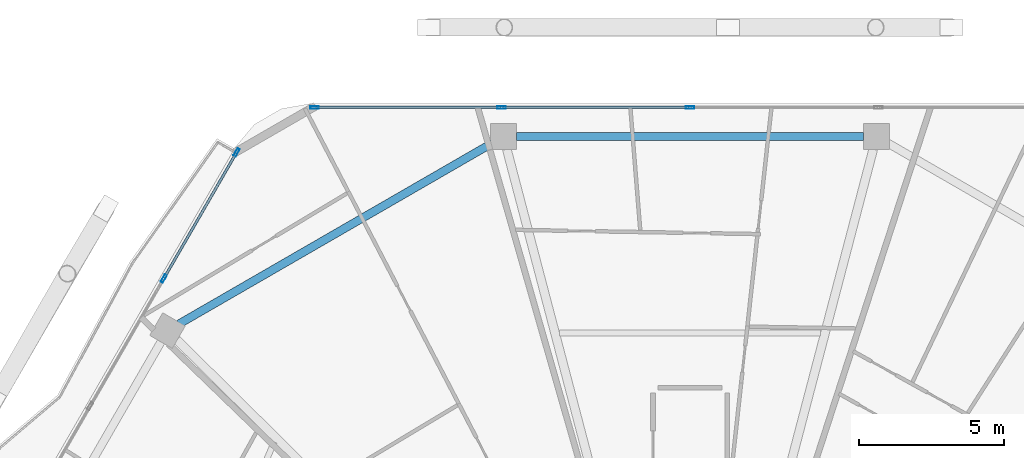
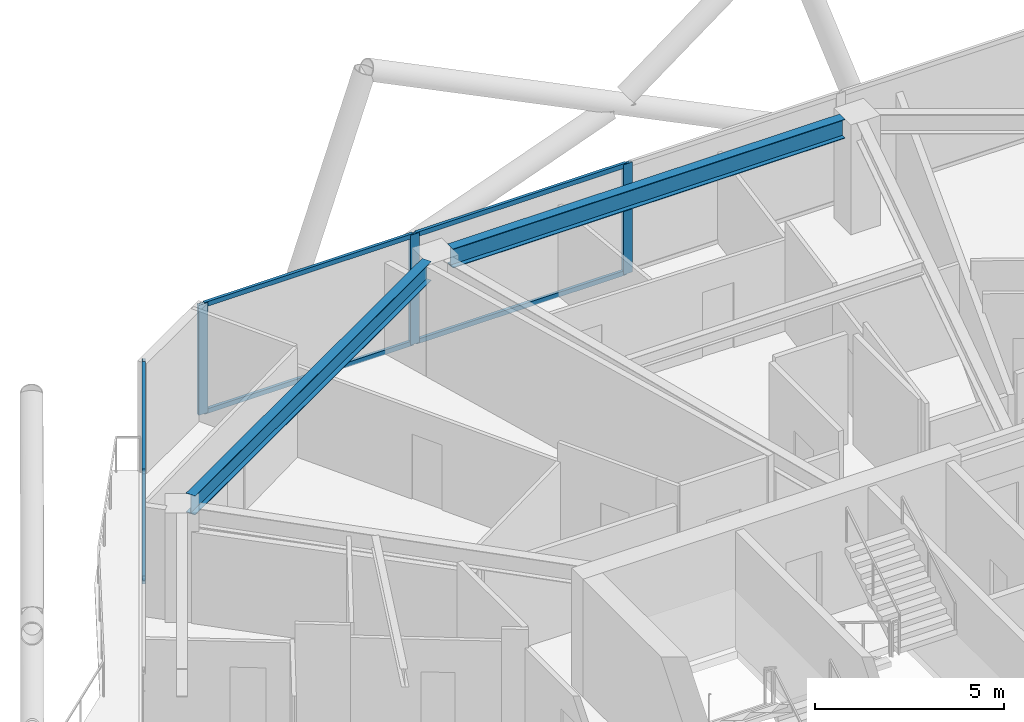
# One storey, part 15 of 29: 11 members, 2 beams, 2 elements without a shape of their own.
"""IFC4 building model written with IfcOpenShell, lengths in metres."""

from ifc_helpers import new_model, si_unit, direction, frame, origin, origin_2d, place, context, subcontext, project, spatial, hollow_rectangle, i_section, extrude, material, material_profile, profile_set, type_object, element, aggregate, save


model = new_model("IFC4")

# Units and contexts
model_context = context("Model", 3, precision=1e-05, world=origin(), true_north=direction((0.0, 1.0)))
body_context = subcontext(model_context, "Body", "Model", "MODEL_VIEW")
ifc_project = project(units=[si_unit("LENGTHUNIT", "METRE"), si_unit("AREAUNIT", "SQUARE_METRE"), si_unit("VOLUMEUNIT", "CUBIC_METRE"), si_unit("PLANEANGLEUNIT", "RADIAN"), si_unit("MASSUNIT", "GRAM", prefix="KILO")], contexts=[model_context])

# Site, building, storey
site_placement = place(None, origin())
site = spatial("IfcSite", under=ifc_project, at=site_placement, CompositionType="ELEMENT")
building_placement = place(site_placement, origin())
building = spatial("IfcBuilding", under=site, at=building_placement, Name="Zuhravey Tower", CompositionType="ELEMENT")
storey_placement = place(building_placement, frame((0.0, 0.0, 246.39990234375)))
storey = spatial("IfcBuildingStorey", under=building, at=storey_placement, Name="L62", CompositionType="ELEMENT", Elevation=246.39990234375)

# Curtain wall, members
ifc_material_1 = material(Name="Thermally broken anodised aluminium", Category="aluminium")
curtain_wall_type = type_object("IfcCurtainWallType", Name="Zone 3-4 High-Rise Curtain Wall CW4", PredefinedType="NOTDEFINED", material=ifc_material_1)
curtain_wall_1_placement = place(storey_placement, origin())
curtain_wall_1 = element("IfcCurtainWall", 1, at=curtain_wall_1_placement, inside=storey, type_object=curtain_wall_type, Name="L62 CW4 CW-L62-F3-2", PredefinedType="NOTDEFINED")
ifc_material_2 = material(Name="Anodised aluminium", Category="aluminium")
ifc_material_profile_1 = material_profile(ifc_material_2, hollow_rectangle(XDim=0.090087890625, YDim=0.284912109375, WallThickness=0.0048828125, at=origin_2d()), Name="ALU-RHS-90x285x5")
ifc_profile_set_1 = profile_set([ifc_material_profile_1], Name="Anodised aluminium")
member_type_1 = type_object("IfcMemberType", Name="Curtain-Wall Mullion 90x180", PredefinedType="MULLION", material=ifc_profile_set_1)
member_1_placement = place(storey_placement, frame((17.826904296875, 51.650390625, 0.0), z_axis=(0.0, 0.0, 1.0), x_axis=(-0.866026426031, 0.499998229413, 0.0)))
member_1 = element("IfcMember", 2, at=member_1_placement, type_object=member_type_1, Name="CW4 mullion 3", PredefinedType="MULLION", context=body_context, shape_type="SweptSolid", body=[
    extrude(hollow_rectangle(XDim=0.090087890625, YDim=0.284912109375, WallThickness=0.0048828125, at=origin_2d()), origin(), (0.0, 0.0, 1.0), 3.550048828125),
])
member_2_placement = place(storey_placement, frame((20.34521484375, 56.01220703125, 0.0), z_axis=(0.0, 0.0, 1.0), x_axis=(-0.866026426031, 0.499998229413, 0.0)))
member_2 = element("IfcMember", 3, at=member_2_placement, type_object=member_type_1, Name="CW4 mullion 4", PredefinedType="MULLION", context=body_context, shape_type="SweptSolid", body=[
    extrude(hollow_rectangle(XDim=0.090087890625, YDim=0.284912109375, WallThickness=0.0048828125, at=origin_2d()), origin(), (0.0, 0.0, 1.0), 3.550048828125),
])

curtain_wall_2_placement = place(storey_placement, origin())
curtain_wall_2 = element("IfcCurtainWall", 4, at=curtain_wall_2_placement, inside=storey, type_object=curtain_wall_type, Name="L62 CW4 CW-L62-F2-1", PredefinedType="NOTDEFINED")
member_3_placement = place(storey_placement, frame((23.0322265625, 57.563720703125, 0.0), z_axis=(0.0, 0.0, 1.0), x_axis=(0.0, 1.0, 0.0)))
member_3 = element("IfcMember", 5, at=member_3_placement, type_object=member_type_1, Name="CW4 mullion 1", PredefinedType="MULLION", context=body_context, shape_type="SweptSolid", body=[
    extrude(hollow_rectangle(XDim=0.090087890625, YDim=0.284912109375, WallThickness=0.0048828125, at=origin_2d()), origin(), (0.0, 0.0, 1.0), 3.550048828125),
])
member_4_placement = place(storey_placement, frame((29.49365234375, 57.563720703125, 0.0), z_axis=(0.0, 0.0, 1.0), x_axis=(0.0, 1.0, 0.0)))
member_4 = element("IfcMember", 6, at=member_4_placement, type_object=member_type_1, Name="CW4 mullion 2", PredefinedType="MULLION", context=body_context, shape_type="SweptSolid", body=[
    extrude(hollow_rectangle(XDim=0.090087890625, YDim=0.284912109375, WallThickness=0.0048828125, at=origin_2d()), origin(), (0.0, 0.0, 1.0), 3.550048828125),
])
member_5_placement = place(storey_placement, frame((36.0, 57.563720703125, 0.0), z_axis=(0.0, 0.0, 1.0), x_axis=(0.0, 1.0, 0.0)))
member_5 = element("IfcMember", 7, at=member_5_placement, type_object=member_type_1, Name="CW4 mullion 3", PredefinedType="MULLION", context=body_context, shape_type="SweptSolid", body=[
    extrude(hollow_rectangle(XDim=0.090087890625, YDim=0.284912109375, WallThickness=0.0048828125, at=origin_2d()), origin(), (0.0, 0.0, 1.0), 3.550048828125),
])

# Member
ifc_material_profile_2 = material_profile(ifc_material_2, hollow_rectangle(XDim=0.090087890625, YDim=0.14990234375, WallThickness=0.0048828125, at=origin_2d()), Name="ALU-RHS-90x150x5")
ifc_profile_set_2 = profile_set([ifc_material_profile_2], Name="Anodised aluminium")
member_type_2 = type_object("IfcMemberType", Name="Curtain-Wall Transom 90x150", PredefinedType="USERDEFINED", material=ifc_profile_set_2)
member_6_placement = place(storey_placement, frame((17.849365234375, 51.689453125, 0.045166015625), z_axis=(0.499993047099, 0.866029418006, 0.0), x_axis=(-0.866029418006, 0.499993047099, 0.0)))
member_6 = element("IfcMember", 8, at=member_6_placement, type_object=member_type_2, Name="CW4 transom 3.1", ObjectType="TRANSOM", PredefinedType="USERDEFINED", context=body_context, shape_type="SweptSolid", body=[
    extrude(hollow_rectangle(XDim=0.090087890625, YDim=0.14990234375, WallThickness=0.0048828125, at=origin_2d()), origin(), (0.0, 0.0, 1.0), 4.9462890625),
])

member_7_placement = place(storey_placement, frame((17.849365234375, 51.689453125, 3.505126953125), z_axis=(0.499993047099, 0.866029418006, 0.0), x_axis=(-0.866029418006, 0.499993047099, 0.0)))
member_7 = element("IfcMember", 9, at=member_7_placement, type_object=member_type_2, Name="CW4 transom 3.2", ObjectType="TRANSOM", PredefinedType="USERDEFINED", context=body_context, shape_type="SweptSolid", body=[
    extrude(hollow_rectangle(XDim=0.090087890625, YDim=0.14990234375, WallThickness=0.0048828125, at=origin_2d()), origin(), (0.0, 0.0, 1.0), 4.9462890625),
])

aggregate(curtain_wall_1, [member_1, member_2, member_6, member_7])

member_8_placement = place(storey_placement, frame((23.077392578125, 57.563720703125, 0.045166015625), z_axis=(1.0, 0.0, 0.0), x_axis=(0.0, 1.0, 0.0)))
member_8 = element("IfcMember", 10, at=member_8_placement, type_object=member_type_2, Name="CW4 transom 1.1", ObjectType="TRANSOM", PredefinedType="USERDEFINED", context=body_context, shape_type="SweptSolid", body=[
    extrude(hollow_rectangle(XDim=0.090087890625, YDim=0.14990234375, WallThickness=0.0048828125, at=origin_2d()), origin(), (0.0, 0.0, 1.0), 6.371337890625),
])

member_9_placement = place(storey_placement, frame((23.077392578125, 57.563720703125, 3.505126953125), z_axis=(1.0, 0.0, 0.0), x_axis=(0.0, 1.0, 0.0)))
member_9 = element("IfcMember", 11, at=member_9_placement, type_object=member_type_2, Name="CW4 transom 1.2", ObjectType="TRANSOM", PredefinedType="USERDEFINED", context=body_context, shape_type="SweptSolid", body=[
    extrude(hollow_rectangle(XDim=0.090087890625, YDim=0.14990234375, WallThickness=0.0048828125, at=origin_2d()), origin(), (0.0, 0.0, 1.0), 6.371337890625),
])

member_10_placement = place(storey_placement, frame((29.53857421875, 57.563720703125, 0.045166015625), z_axis=(1.0, 0.0, 0.0), x_axis=(0.0, 1.0, 0.0)))
member_10 = element("IfcMember", 12, at=member_10_placement, type_object=member_type_2, Name="CW4 transom 2.1", ObjectType="TRANSOM", PredefinedType="USERDEFINED", context=body_context, shape_type="SweptSolid", body=[
    extrude(hollow_rectangle(XDim=0.090087890625, YDim=0.14990234375, WallThickness=0.0048828125, at=origin_2d()), origin(), (0.0, 0.0, 1.0), 6.41650390625),
])

member_11_placement = place(storey_placement, frame((29.53857421875, 57.563720703125, 3.505126953125), z_axis=(1.0, 0.0, 0.0), x_axis=(0.0, 1.0, 0.0)))
member_11 = element("IfcMember", 13, at=member_11_placement, type_object=member_type_2, Name="CW4 transom 2.2", ObjectType="TRANSOM", PredefinedType="USERDEFINED", context=body_context, shape_type="SweptSolid", body=[
    extrude(hollow_rectangle(XDim=0.090087890625, YDim=0.14990234375, WallThickness=0.0048828125, at=origin_2d()), origin(), (0.0, 0.0, 1.0), 6.41650390625),
])

aggregate(curtain_wall_2, [member_3, member_4, member_5, member_8, member_9, member_10, member_11])

# Beams
ifc_material_3 = material(Name="Steel SM355", Category="steel")
ifc_material_profile_3 = material_profile(ifc_material_3, i_section(OverallWidth=0.280029296875, OverallDepth=0.6201171875, WebThickness=0.011962890625, FlangeThickness=0.02001953125, at=origin_2d()), Name="H-620x280x12x20")
ifc_profile_set_3 = profile_set([ifc_material_profile_3], Name="Steel SM355")
beam_type = type_object("IfcBeamType", Name="Perimeter Ring Beam H620x280", PredefinedType="BEAM", material=ifc_profile_set_3)
beam_1_placement = place(storey_placement, frame((41.98779296875, 56.5537109375, 3.239990234375), z_axis=(-1.0, 0.0, 0.0), x_axis=(0.0, -1.0, 0.0)))
element("IfcBeam", 14, at=beam_1_placement, inside=storey, type_object=beam_type, Name="L62 PB3 BM-L62-PB-03", PredefinedType="BEAM", context=body_context, shape_type="SweptSolid", body=[
    extrude(i_section(OverallWidth=0.280029296875, OverallDepth=0.6201171875, WebThickness=0.011962890625, FlangeThickness=0.02001953125, at=origin_2d()), origin(), (0.0, 0.0, 1.0), 11.9755859375),
])
beam_2_placement = place(storey_placement, frame((29.166748046875, 56.3271484375, 3.239990234375), z_axis=(-0.866025131093, -0.500000472315, 0.0), x_axis=(0.500000472315, -0.866025131093, 0.0)))
element("IfcBeam", 15, at=beam_2_placement, inside=storey, type_object=beam_type, Name="L62 PB3 BM-L62-PB-04", PredefinedType="BEAM", context=body_context, shape_type="SweptSolid", body=[
    extrude(i_section(OverallWidth=0.280029296875, OverallDepth=0.6201171875, WebThickness=0.011962890625, FlangeThickness=0.02001953125, at=origin_2d()), origin(), (0.0, 0.0, 1.0), 12.49169921875),
])

save(model, "model.ifc")
